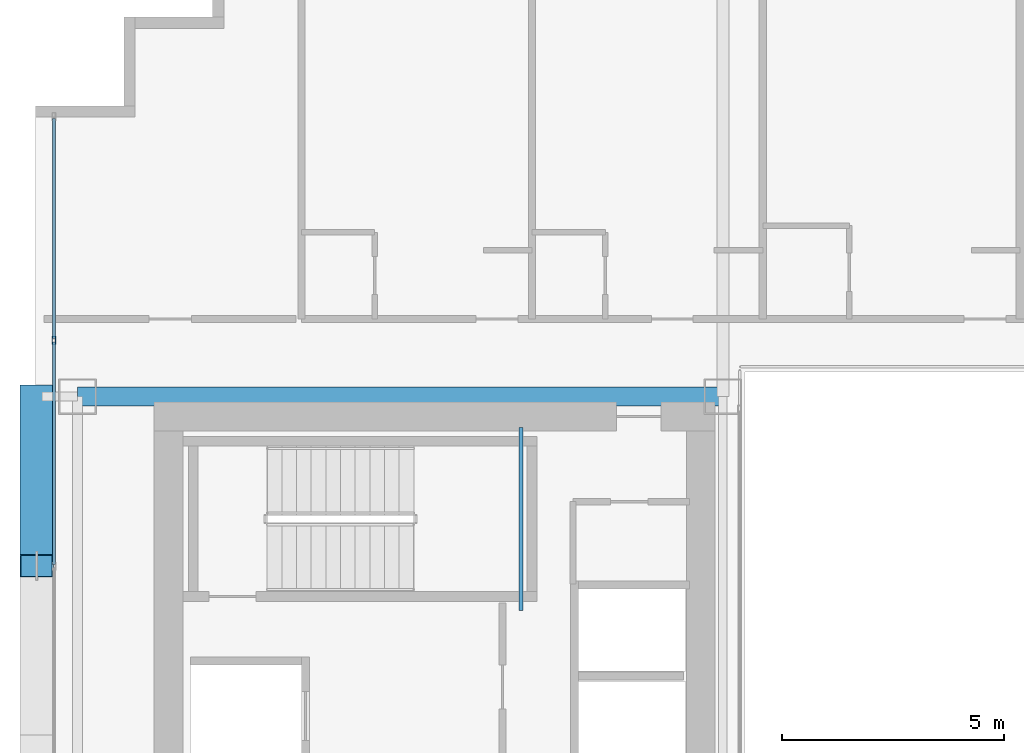
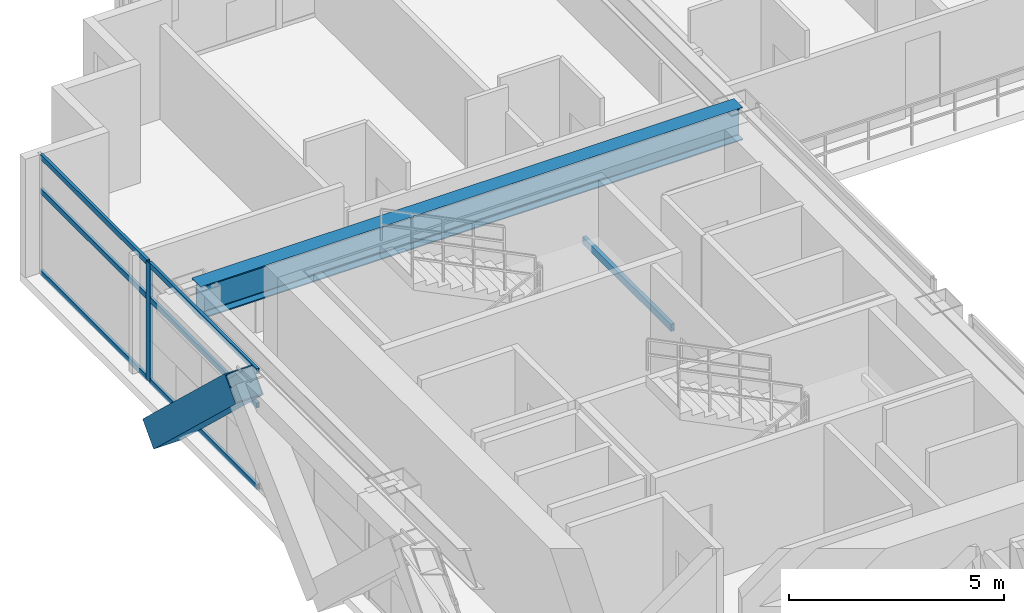
# One storey, part 19 of 39: 8 members, 2 beams, 1 element without a shape of its own.
"""IFC4 building model written with IfcOpenShell, lengths in metres."""

from ifc_helpers import new_model, si_unit, direction, frame, origin, origin_2d, place, context, subcontext, project, spatial, hollow_rectangle, i_section, extrude, source, transform, mapped, material, layer, layer_set, material_profile, profile_set, type_object, element, aggregate, save


model = new_model("IFC4")

# Units and contexts
model_context = context("Model", 3, precision=1e-05, world=origin(), true_north=direction((0.0, 1.0)))
body_context = subcontext(model_context, "Body", "Model", "MODEL_VIEW")
ifc_project = project(units=[si_unit("LENGTHUNIT", "METRE"), si_unit("AREAUNIT", "SQUARE_METRE"), si_unit("VOLUMEUNIT", "CUBIC_METRE"), si_unit("PLANEANGLEUNIT", "RADIAN"), si_unit("MASSUNIT", "GRAM", prefix="KILO")], contexts=[model_context])

# Site, building, storey
site_placement = place(None, origin())
site = spatial("IfcSite", under=ifc_project, at=site_placement, CompositionType="ELEMENT")
building_placement = place(site_placement, origin())
building = spatial("IfcBuilding", under=site, at=building_placement, Name="Ocotamira Hotel", CompositionType="ELEMENT")
storey_placement = place(building_placement, frame((0.0, 0.0, 104.39990234375)))
storey = spatial("IfcBuildingStorey", under=building, at=storey_placement, Name="L25", CompositionType="ELEMENT", Elevation=104.39990234375)

# Beams
ifc_material_1 = material(Name="Steel ASTM A500 Grade C", Category="steel")
ifc_material_profile_1 = material_profile(ifc_material_1, hollow_rectangle(XDim=0.10009765625, YDim=0.199951171875, WallThickness=0.008056640625, at=origin_2d()), Name="HSS200X100X8")
ifc_profile_set_1 = profile_set([ifc_material_profile_1], Name="Steel ASTM A500 Grade C")
beam_type_1 = type_object("IfcBeamType", Name="BM-STLDG-HSS200", PredefinedType="BEAM", material=ifc_profile_set_1)
shared_shape_1 = source(origin(), body_context, "Body", "SweptSolid", [
    extrude(hollow_rectangle(XDim=0.10009765625, YDim=0.199951171875, WallThickness=0.008056640625, at=origin_2d()), origin(), (0.0, 0.0, 1.0), 4.1201171875),
])
beam_1_placement = place(storey_placement, frame((18.949951171875, 32.6298828125, 1.5), z_axis=(0.0, 1.0, 0.0), x_axis=(-1.0, 0.0, 0.0)))
element("IfcBeam", 1, at=beam_1_placement, inside=storey, type_object=beam_type_1, Name="L25 Stair ST-2 Landing Bearer 1", PredefinedType="BEAM", context=body_context, shape_type="MappedRepresentation", body=[
    mapped(shared_shape_1, transform((0.0, 0.0, 0.0), scale=1.0)),
])
ifc_material_2 = material(Name="Steel ASTM A992 Grade 50", Category="steel")
ifc_material_profile_2 = material_profile(ifc_material_2, i_section(OverallWidth=0.41796875, OverallDepth=0.927001953125, WebThickness=0.019287109375, FlangeThickness=0.031982421875, FilletRadius=0.02392578125, at=origin_2d()), Name="W36X231")
ifc_profile_set_2 = profile_set([ifc_material_profile_2], Name="Steel ASTM A992 Grade 50")
beam_type_2 = type_object("IfcBeamType", Name="BM-GIRD-W36X231", PredefinedType="BEAM", material=ifc_profile_set_2)
shared_shape_2 = source(origin(), body_context, "Body", "SweptSolid", [
    extrude(i_section(OverallWidth=0.41796875, OverallDepth=0.927001953125, WebThickness=0.019287109375, FlangeThickness=0.031982421875, FilletRadius=0.02392578125, at=origin_2d()), origin(), (0.0, 0.0, 1.0), 14.550048828125),
])
beam_2_placement = place(storey_placement, frame((8.949951171875, 37.449951171875, 2.896484375), z_axis=(1.0, 0.0, 0.0), x_axis=(0.0, 1.0, 0.0)))
element("IfcBeam", 2, at=beam_2_placement, inside=storey, type_object=beam_type_2, Name="L25 Girder Y37.45 X8.95-23.5", PredefinedType="BEAM", context=body_context, shape_type="MappedRepresentation", body=[
    mapped(shared_shape_2, transform((0.0, 0.0, 0.0), scale=1.0)),
])

# Member
ifc_material_3 = material(Name="Pale-metal coated steel ASTM A913 Grade 65", Category="steel")
ifc_material_profile_3 = material_profile(ifc_material_3, hollow_rectangle(XDim=0.75, YDim=0.75, WallThickness=0.028076171875, at=origin_2d()), Name="BOX750X750X28")
ifc_profile_set_3 = profile_set([ifc_material_profile_3], Name="Pale-metal coated steel ASTM A913 Grade 65")
member_type_1 = type_object("IfcMemberType", Name="MEM-EXO-BOX750", PredefinedType="BRACE", material=ifc_profile_set_3)
shared_shape_3 = source(origin(), body_context, "Body", "SweptSolid", [
    extrude(hollow_rectangle(XDim=0.75, YDim=0.75, WallThickness=0.028076171875, at=origin_2d()), origin(), (0.0, 0.0, 1.0), 5.24658203125),
])
member_1_placement = place(storey_placement, frame((8.030029296875, 37.449951171875, -0.489990234375), z_axis=(0.0, -0.727442733726, 0.686168397078), x_axis=(1.0, 0.0, 0.0)))
element("IfcMember", 3, at=member_1_placement, inside=storey, type_object=member_type_1, Name="L25 Exoskeleton Diagrid W2.2", PredefinedType="BRACE", context=body_context, shape_type="MappedRepresentation", body=[
    mapped(shared_shape_3, transform((0.0, 0.0, 0.0), scale=1.0)),
])

# Curtain wall, members
ifc_material_4 = material(Name="Anodised pale-metal aluminium and solar glass", Category="aluminium")
ifc_layer = layer(ifc_material_4, 0.179931640625)
ifc_layer_set = layer_set([ifc_layer], Name="Anodised pale-metal aluminium and solar glass")
curtain_wall_type = type_object("IfcCurtainWallType", Name="CW-SYS3-Z2", PredefinedType="NOTDEFINED", material=ifc_layer_set)
curtain_wall_placement = place(storey_placement, origin())
curtain_wall = element("IfcCurtainWall", 4, at=curtain_wall_placement, inside=storey, type_object=curtain_wall_type, Name="L25 Curtain Wall CW-3 CW-L25-W", PredefinedType="NOTDEFINED")
ifc_material_5 = material(Name="Anodised pale-metal aluminium 6063-T6", Category="aluminium")
ifc_material_profile_4 = material_profile(ifc_material_5, hollow_rectangle(XDim=0.074951171875, YDim=0.14990234375, WallThickness=0.006103515625, at=origin_2d()), Name="HSS150X75X6")
ifc_profile_set_4 = profile_set([ifc_material_profile_4], Name="Anodised pale-metal aluminium 6063-T6")
member_type_2 = type_object("IfcMemberType", Name="CWT-150X75", PredefinedType="USERDEFINED", material=ifc_profile_set_4)
shared_shape_4 = source(origin(), body_context, "Body", "SweptSolid", [
    extrude(hollow_rectangle(XDim=0.074951171875, YDim=0.14990234375, WallThickness=0.006103515625, at=origin_2d()), origin(), (0.0, 0.0, 1.0), 4.965576171875),
])
member_2_placement = place(storey_placement, frame((8.419921875, 38.75439453125, 0.03759765625), z_axis=(0.0, 1.0, 0.0), x_axis=(-1.0, 0.0, 0.0)))
member_2 = element("IfcMember", 5, at=member_2_placement, type_object=member_type_2, Name="CW-3 transom 7.1", ObjectType="TRANSOM", PredefinedType="USERDEFINED", context=body_context, shape_type="MappedRepresentation", body=[
    mapped(shared_shape_4, transform((0.0, 0.0, 0.0), scale=1.0)),
])
member_3_placement = place(storey_placement, frame((8.419921875, 38.75439453125, 2.35009765625), z_axis=(0.0, 1.0, 0.0), x_axis=(-1.0, 0.0, 0.0)))
member_3 = element("IfcMember", 6, at=member_3_placement, type_object=member_type_2, Name="CW-3 transom 7.2", ObjectType="TRANSOM", PredefinedType="USERDEFINED", context=body_context, shape_type="MappedRepresentation", body=[
    mapped(shared_shape_4, transform((0.0, 0.0, 0.0), scale=1.0)),
])
member_4_placement = place(storey_placement, frame((8.419921875, 38.75439453125, 3.322509765625), z_axis=(0.0, 1.0, 0.0), x_axis=(-1.0, 0.0, 0.0)))
member_4 = element("IfcMember", 7, at=member_4_placement, type_object=member_type_2, Name="CW-3 transom 7.3", ObjectType="TRANSOM", PredefinedType="USERDEFINED", context=body_context, shape_type="MappedRepresentation", body=[
    mapped(shared_shape_4, transform((0.0, 0.0, 0.0), scale=1.0)),
])
shared_shape_5 = source(origin(), body_context, "Body", "SweptSolid", [
    extrude(hollow_rectangle(XDim=0.074951171875, YDim=0.14990234375, WallThickness=0.006103515625, at=origin_2d()), origin(), (0.0, 0.0, 1.0), 5.005859375),
])
member_5_placement = place(storey_placement, frame((8.419921875, 33.66845703125, 0.03759765625), z_axis=(0.0, 1.0, 0.0), x_axis=(-1.0, 0.0, 0.0)))
member_5 = element("IfcMember", 8, at=member_5_placement, type_object=member_type_2, Name="CW-3 transom 6.1", ObjectType="TRANSOM", PredefinedType="USERDEFINED", context=body_context, shape_type="MappedRepresentation", body=[
    mapped(shared_shape_5, transform((0.0, 0.0, 0.0), scale=1.0)),
])
member_6_placement = place(storey_placement, frame((8.419921875, 33.66845703125, 2.35009765625), z_axis=(0.0, 1.0, 0.0), x_axis=(-1.0, 0.0, 0.0)))
member_6 = element("IfcMember", 9, at=member_6_placement, type_object=member_type_2, Name="CW-3 transom 6.2", ObjectType="TRANSOM", PredefinedType="USERDEFINED", context=body_context, shape_type="MappedRepresentation", body=[
    mapped(shared_shape_5, transform((0.0, 0.0, 0.0), scale=1.0)),
])
member_7_placement = place(storey_placement, frame((8.419921875, 33.66845703125, 3.322509765625), z_axis=(0.0, 1.0, 0.0), x_axis=(-1.0, 0.0, 0.0)))
member_7 = element("IfcMember", 10, at=member_7_placement, type_object=member_type_2, Name="CW-3 transom 6.3", ObjectType="TRANSOM", PredefinedType="USERDEFINED", context=body_context, shape_type="MappedRepresentation", body=[
    mapped(shared_shape_5, transform((0.0, 0.0, 0.0), scale=1.0)),
])
ifc_material_profile_5 = material_profile(ifc_material_5, hollow_rectangle(XDim=0.080078125, YDim=0.179931640625, WallThickness=0.006103515625, at=origin_2d()), Name="HSS180X80X6")
ifc_profile_set_5 = profile_set([ifc_material_profile_5], Name="Anodised pale-metal aluminium 6063-T6")
member_type_3 = type_object("IfcMemberType", Name="CWM-180X75", PredefinedType="MULLION", material=ifc_profile_set_5)
shared_shape_6 = source(origin(), body_context, "Body", "SweptSolid", [
    extrude(hollow_rectangle(XDim=0.080078125, YDim=0.179931640625, WallThickness=0.006103515625, at=origin_2d()), origin(), (0.0, 0.0, 1.0), 3.360107421875),
])
member_8_placement = place(storey_placement, frame((8.419921875, 38.71435546875, 0.0), z_axis=(0.0, 0.0, 1.0), x_axis=(-1.0, 0.0, 0.0)))
member_8 = element("IfcMember", 11, at=member_8_placement, type_object=member_type_3, Name="CW-3 mullion 7", PredefinedType="MULLION", context=body_context, shape_type="MappedRepresentation", body=[
    mapped(shared_shape_6, transform((0.0, 0.0, 0.0), scale=1.0)),
])
aggregate(curtain_wall, [member_8, member_5, member_6, member_7, member_2, member_3, member_4])

save(model, "model.ifc")
